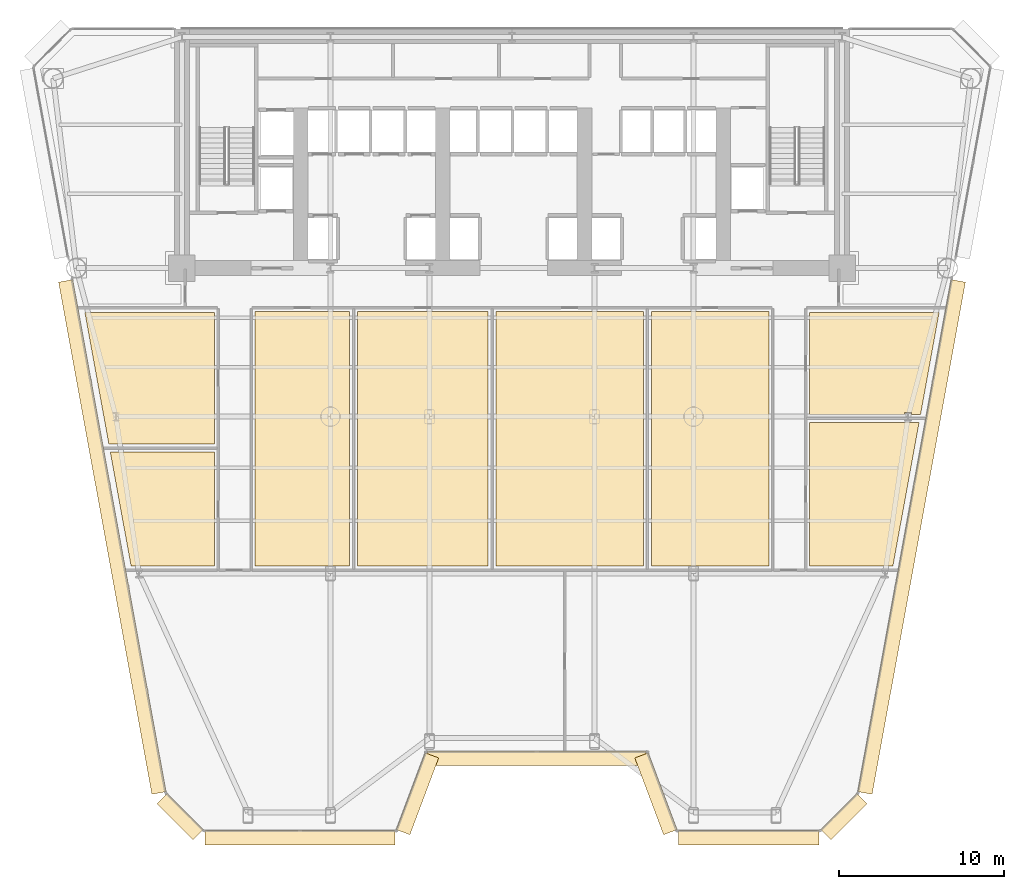
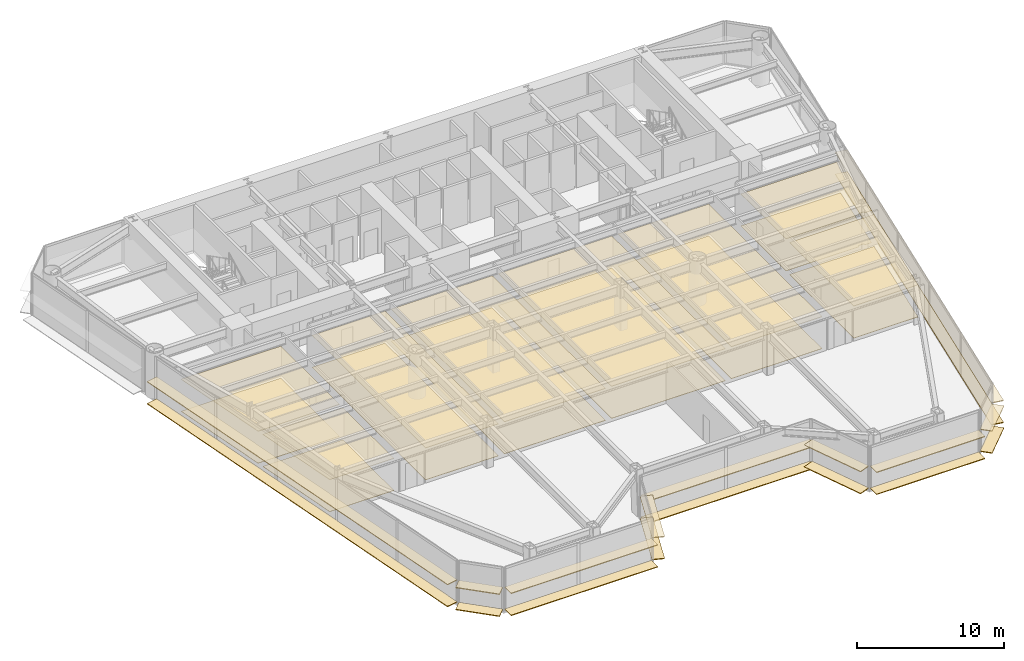
# One storey, part 11 of 14: 34 coverings.
"""IFC4 building model written with IfcOpenShell, lengths in metres."""

from ifc_helpers import new_model, si_unit, direction, frame, origin, origin_2d, place, context, subcontext, project, spatial, polyline, rectangle, outline, extrude, source, transform, mapped, material, layer, layer_set, type_object, element, save


model = new_model("IFC4")

# Units and contexts
model_context = context("Model", 3, precision=1e-05, world=origin(), true_north=direction((0.0, 1.0)))
body_context = subcontext(model_context, "Body", "Model", "MODEL_VIEW")
ifc_project = project(units=[si_unit("LENGTHUNIT", "METRE"), si_unit("AREAUNIT", "SQUARE_METRE"), si_unit("VOLUMEUNIT", "CUBIC_METRE"), si_unit("PLANEANGLEUNIT", "RADIAN"), si_unit("MASSUNIT", "GRAM", prefix="KILO")], contexts=[model_context])

# Site, building, storey
site_placement = place(None, origin())
site = spatial("IfcSite", under=ifc_project, at=site_placement, CompositionType="ELEMENT")
building_placement = place(site_placement, origin())
building = spatial("IfcBuilding", under=site, at=building_placement, Name="Vaeldorn Concourse Tower", CompositionType="ELEMENT")
storey_placement = place(building_placement, frame((0.0, 0.0, 56.800048828125)))
storey = spatial("IfcBuildingStorey", under=building, at=storey_placement, Name="L14", CompositionType="ELEMENT", Elevation=56.800048828125)

# Coverings
ifc_material_1 = material(Name="Acoustic Mineral Fibre Board", Category="gypsum")
ifc_layer_1 = layer(ifc_material_1, 0.0400390625)
ifc_layer_set_1 = layer_set([ifc_layer_1], Name="Acoustic Mineral Fibre Board")
covering_type_1 = type_object("IfcCoveringType", Name="COV-CEIL-ACOUSTIC", PredefinedType="CEILING", material=ifc_layer_set_1)
covering_1_placement = place(storey_placement, frame((0.0, 0.0, 2.64990234375)))
element("IfcCovering", 1, at=covering_1_placement, inside=storey, type_object=covering_type_1, Name="Suspended Acoustic Ceiling L14-5", PredefinedType="CEILING", context=body_context, shape_type="SweptSolid", body=[
    extrude(outline(polyline([(15.9599609375, 25.360107421875), (15.9599609375, 18.43994140625), (10.92138671875, 18.43994140625), (9.66015625, 25.360107421875), (15.9599609375, 25.360107421875)])), origin(), (0.0, 0.0, 1.0), 0.0400390625),
])
covering_2_placement = place(storey_placement, frame((0.0, 0.0, 2.64990234375)))
element("IfcCovering", 2, at=covering_2_placement, inside=storey, type_object=covering_type_1, Name="Suspended Acoustic Ceiling L14-6", PredefinedType="CEILING", context=body_context, shape_type="SweptSolid", body=[
    extrude(outline(polyline([(15.9599609375, 33.800048828125), (15.9599609375, 25.840087890625), (9.57275390625, 25.840087890625), (8.1220703125, 33.800048828125), (15.9599609375, 33.800048828125)])), origin(), (0.0, 0.0, 1.0), 0.0400390625),
])
covering_3_placement = place(storey_placement, frame((0.0, 0.0, 2.64990234375)))
element("IfcCovering", 3, at=covering_3_placement, inside=storey, type_object=covering_type_1, Name="Suspended Acoustic Ceiling L14-7", PredefinedType="CEILING", context=body_context, shape_type="SweptSolid", body=[
    extrude(outline(polyline([(52.0400390625, 27.159912109375), (58.667724609375, 27.159912109375), (57.07861328125, 18.43994140625), (52.0400390625, 18.43994140625), (52.0400390625, 27.159912109375)])), origin(), (0.0, 0.0, 1.0), 0.0400390625),
])
covering_4_placement = place(storey_placement, frame((0.0, 0.0, 2.64990234375)))
element("IfcCovering", 4, at=covering_4_placement, inside=storey, type_object=covering_type_1, Name="Suspended Acoustic Ceiling L14-8", PredefinedType="CEILING", context=body_context, shape_type="SweptSolid", body=[
    extrude(outline(polyline([(52.0400390625, 33.800048828125), (59.8779296875, 33.800048828125), (58.75537109375, 27.639892578125), (58.220947265625, 27.639892578125), (58.220947265625, 27.765380859375), (57.779052734375, 27.765380859375), (57.779052734375, 27.639892578125), (52.0400390625, 27.639892578125), (52.0400390625, 33.800048828125)])), origin(), (0.0, 0.0, 1.0), 0.0400390625),
])
covering_5_placement = place(storey_placement, frame((0.0, 0.0, 2.64990234375)))
element("IfcCovering", 5, at=covering_5_placement, inside=storey, type_object=covering_type_1, Name="Suspended Acoustic Ceiling L14-9", PredefinedType="CEILING", context=body_context, shape_type="SweptSolid", body=[
    extrude(outline(polyline([(18.43994140625, 33.860107421875), (24.159912109375, 33.860107421875), (24.159912109375, 18.43994140625), (23.300048828125, 18.43994140625), (23.300048828125, 18.449951171875), (22.699951171875, 18.449951171875), (22.699951171875, 18.43994140625), (18.43994140625, 18.43994140625), (18.43994140625, 33.860107421875)])), origin(), (0.0, 0.0, 1.0), 0.0400390625),
])
covering_6_placement = place(storey_placement, frame((0.0, 0.0, 2.64990234375)))
element("IfcCovering", 6, at=covering_6_placement, inside=storey, type_object=covering_type_1, Name="Suspended Acoustic Ceiling L14-10", PredefinedType="CEILING", context=body_context, shape_type="SweptSolid", body=[
    extrude(outline(polyline([(24.639892578125, 33.860107421875), (32.56005859375, 33.860107421875), (32.56005859375, 18.43994140625), (24.639892578125, 18.43994140625), (24.639892578125, 33.860107421875)])), origin(), (0.0, 0.0, 1.0), 0.0400390625),
])
covering_7_placement = place(storey_placement, frame((0.0, 0.0, 2.64990234375)))
element("IfcCovering", 7, at=covering_7_placement, inside=storey, type_object=covering_type_1, Name="Suspended Acoustic Ceiling L14-11", PredefinedType="CEILING", context=body_context, shape_type="SweptSolid", body=[
    extrude(outline(polyline([(33.0400390625, 33.860107421875), (41.9599609375, 33.860107421875), (41.9599609375, 18.43994140625), (33.0400390625, 18.43994140625), (33.0400390625, 33.860107421875)])), origin(), (0.0, 0.0, 1.0), 0.0400390625),
])
covering_8_placement = place(storey_placement, frame((0.0, 0.0, 2.64990234375)))
element("IfcCovering", 8, at=covering_8_placement, inside=storey, type_object=covering_type_1, Name="Suspended Acoustic Ceiling L14-12", PredefinedType="CEILING", context=body_context, shape_type="SweptSolid", body=[
    extrude(outline(polyline([(42.43994140625, 33.860107421875), (49.56005859375, 33.860107421875), (49.56005859375, 18.43994140625), (45.300048828125, 18.43994140625), (45.300048828125, 18.449951171875), (44.699951171875, 18.449951171875), (44.699951171875, 18.43994140625), (42.43994140625, 18.43994140625), (42.43994140625, 33.860107421875)])), origin(), (0.0, 0.0, 1.0), 0.0400390625),
])
ifc_material_2 = material(Name="Honed Limestone Terrazzo Flooring", Category="masonry")
ifc_layer_2 = layer(ifc_material_2, 0.0400390625)
ifc_layer_set_2 = layer_set([ifc_layer_2], Name="Honed Limestone Terrazzo Flooring")
covering_type_2 = type_object("IfcCoveringType", Name="COV-FLOOR-STONE", PredefinedType="FLOORING", material=ifc_layer_set_2)
covering_9_placement = place(storey_placement, origin())
element("IfcCovering", 9, at=covering_9_placement, inside=storey, type_object=covering_type_2, Name="Floor Finish Covering L14-5", PredefinedType="FLOORING", context=body_context, shape_type="SweptSolid", body=[
    extrude(outline(polyline([(15.9599609375, 25.360107421875), (15.9599609375, 18.43994140625), (10.92138671875, 18.43994140625), (9.66015625, 25.360107421875), (15.9599609375, 25.360107421875)])), origin(), (0.0, 0.0, 1.0), 0.030029296875),
])
covering_10_placement = place(storey_placement, origin())
element("IfcCovering", 10, at=covering_10_placement, inside=storey, type_object=covering_type_2, Name="Floor Finish Covering L14-6", PredefinedType="FLOORING", context=body_context, shape_type="SweptSolid", body=[
    extrude(outline(polyline([(15.9599609375, 33.800048828125), (15.9599609375, 25.840087890625), (9.57275390625, 25.840087890625), (8.1220703125, 33.800048828125), (15.9599609375, 33.800048828125)])), origin(), (0.0, 0.0, 1.0), 0.030029296875),
])
covering_11_placement = place(storey_placement, origin())
element("IfcCovering", 11, at=covering_11_placement, inside=storey, type_object=covering_type_2, Name="Floor Finish Covering L14-7", PredefinedType="FLOORING", context=body_context, shape_type="SweptSolid", body=[
    extrude(outline(polyline([(52.0400390625, 27.159912109375), (58.667724609375, 27.159912109375), (57.07861328125, 18.43994140625), (52.0400390625, 18.43994140625), (52.0400390625, 27.159912109375)])), origin(), (0.0, 0.0, 1.0), 0.030029296875),
])
covering_12_placement = place(storey_placement, origin())
element("IfcCovering", 12, at=covering_12_placement, inside=storey, type_object=covering_type_2, Name="Floor Finish Covering L14-8", PredefinedType="FLOORING", context=body_context, shape_type="SweptSolid", body=[
    extrude(outline(polyline([(52.0400390625, 33.800048828125), (59.8779296875, 33.800048828125), (58.75537109375, 27.639892578125), (58.220947265625, 27.639892578125), (58.220947265625, 27.765380859375), (57.779052734375, 27.765380859375), (57.779052734375, 27.639892578125), (52.0400390625, 27.639892578125), (52.0400390625, 33.800048828125)])), origin(), (0.0, 0.0, 1.0), 0.030029296875),
])
covering_13_placement = place(storey_placement, origin())
element("IfcCovering", 13, at=covering_13_placement, inside=storey, type_object=covering_type_2, Name="Floor Finish Covering L14-9", PredefinedType="FLOORING", context=body_context, shape_type="SweptSolid", body=[
    extrude(outline(polyline([(18.43994140625, 33.860107421875), (24.159912109375, 33.860107421875), (24.159912109375, 18.43994140625), (23.300048828125, 18.43994140625), (23.300048828125, 18.449951171875), (22.699951171875, 18.449951171875), (22.699951171875, 18.43994140625), (18.43994140625, 18.43994140625), (18.43994140625, 33.860107421875)])), origin(), (0.0, 0.0, 1.0), 0.030029296875),
])
covering_14_placement = place(storey_placement, origin())
element("IfcCovering", 14, at=covering_14_placement, inside=storey, type_object=covering_type_2, Name="Floor Finish Covering L14-10", PredefinedType="FLOORING", context=body_context, shape_type="SweptSolid", body=[
    extrude(outline(polyline([(24.639892578125, 33.860107421875), (32.56005859375, 33.860107421875), (32.56005859375, 18.43994140625), (24.639892578125, 18.43994140625), (24.639892578125, 33.860107421875)])), origin(), (0.0, 0.0, 1.0), 0.030029296875),
])
covering_15_placement = place(storey_placement, origin())
element("IfcCovering", 15, at=covering_15_placement, inside=storey, type_object=covering_type_2, Name="Floor Finish Covering L14-11", PredefinedType="FLOORING", context=body_context, shape_type="SweptSolid", body=[
    extrude(outline(polyline([(33.0400390625, 33.860107421875), (41.9599609375, 33.860107421875), (41.9599609375, 18.43994140625), (33.0400390625, 18.43994140625), (33.0400390625, 33.860107421875)])), origin(), (0.0, 0.0, 1.0), 0.030029296875),
])
covering_16_placement = place(storey_placement, origin())
element("IfcCovering", 16, at=covering_16_placement, inside=storey, type_object=covering_type_2, Name="Floor Finish Covering L14-12", PredefinedType="FLOORING", context=body_context, shape_type="SweptSolid", body=[
    extrude(outline(polyline([(42.43994140625, 33.860107421875), (49.56005859375, 33.860107421875), (49.56005859375, 18.43994140625), (45.300048828125, 18.43994140625), (45.300048828125, 18.449951171875), (44.699951171875, 18.449951171875), (44.699951171875, 18.43994140625), (42.43994140625, 18.43994140625), (42.43994140625, 33.860107421875)])), origin(), (0.0, 0.0, 1.0), 0.030029296875),
])
ifc_material_3 = material(Name="Anodised Bronze Aluminium", Category="aluminium")
ifc_layer_3 = layer(ifc_material_3, 0.06494140625)
ifc_layer_set_3 = layer_set([ifc_layer_3], Name="Anodised Bronze Aluminium")
covering_type_3 = type_object("IfcCoveringType", Name="SD-BRONZE-SUNSHADE", PredefinedType="USERDEFINED", material=ifc_layer_set_3)
shared_shape_1 = source(origin(), body_context, "Body", "SweptSolid", [
    extrude(rectangle(XDim=4.96630859375, YDim=0.8798828125, at=origin_2d()), origin(), (0.0, 0.0, 1.0), 0.06494140625),
])
for number, where, z_axis, x_axis, name in (
    (17, (28.2744140625, 4.650390625, 0.04736328125), (0.0, 0.0, 1.0), (0.351122702609, 0.936329454686, 0.0), "Horizontal Bronze Sunshade L14-E02.1.1"),
    (18, (28.2744140625, 4.650390625, 1.867431640625), (0.0, 0.0, 1.0), (0.351122702609, 0.936329454686, 0.0), "Horizontal Bronze Sunshade L14-E02.1.2"),
    (19, (42.7255859375, 4.650390625, 0.04736328125), (0.0, 0.0, 1.0), (0.351122702609, -0.936329454686, 0.0), "Horizontal Bronze Sunshade L14-E04.1.1"),
    (20, (42.7255859375, 4.650390625, 1.867431640625), (0.0, 0.0, 1.0), (0.351122702609, -0.936329454686, 0.0), "Horizontal Bronze Sunshade L14-E04.1.2"),
):
    element("IfcCovering", number, at=place(storey_placement, frame(where, z_axis=z_axis, x_axis=x_axis)), inside=storey, type_object=covering_type_3, Name=name, ObjectType="SUNSHADE", PredefinedType="USERDEFINED", context=body_context, shape_type="MappedRepresentation", body=[
        mapped(shared_shape_1, transform((0.0, 0.0, 0.0), scale=1.0)),
    ])
shared_shape_2 = source(origin(), body_context, "Body", "SweptSolid", [
    extrude(rectangle(XDim=13.239990234375, YDim=0.8798828125, at=origin_2d()), origin(), (0.0, 0.0, 1.0), 0.06494140625),
])
for number, where, z_axis, x_axis, name in (
    (21, (35.5, 6.790771484375, 0.04736328125), (0.0, 0.0, 1.0), (1.0, 0.0, 0.0), "Horizontal Bronze Sunshade L14-E03.1.1"),
    (22, (35.5, 6.790771484375, 1.867431640625), (0.0, 0.0, 1.0), (1.0, 0.0, 0.0), "Horizontal Bronze Sunshade L14-E03.1.2"),
):
    element("IfcCovering", number, at=place(storey_placement, frame(where, z_axis=z_axis, x_axis=x_axis)), inside=storey, type_object=covering_type_3, Name=name, ObjectType="SUNSHADE", PredefinedType="USERDEFINED", context=body_context, shape_type="MappedRepresentation", body=[
        mapped(shared_shape_2, transform((0.0, 0.0, 0.0), scale=1.0)),
    ])
shared_shape_3 = source(origin(), body_context, "Body", "SweptSolid", [
    extrude(rectangle(XDim=3.0927734375, YDim=0.8798828125, at=origin_2d()), origin(), (0.0, 0.0, 1.0), 0.06494140625),
])
for number, where, z_axis, x_axis, name in (
    (23, (54.1123046875, 3.258056640625, 0.04736328125), (0.0, 0.0, 1.0), (0.707106781187, 0.707106781187, 0.0), "Horizontal Bronze Sunshade L14-E06.1.1"),
    (24, (54.1123046875, 3.258056640625, 1.867431640625), (0.0, 0.0, 1.0), (0.707106781187, 0.707106781187, 0.0), "Horizontal Bronze Sunshade L14-E06.1.2"),
    (25, (13.8876953125, 3.258056640625, 0.04736328125), (0.0, 0.0, 1.0), (0.707106781187, -0.707106781187, 0.0), "Horizontal Bronze Sunshade L14-E12.1.1"),
    (26, (13.8876953125, 3.258056640625, 1.867431640625), (0.0, 0.0, 1.0), (0.707106781187, -0.707106781187, 0.0), "Horizontal Bronze Sunshade L14-E12.1.2"),
):
    element("IfcCovering", number, at=place(storey_placement, frame(where, z_axis=z_axis, x_axis=x_axis)), inside=storey, type_object=covering_type_3, Name=name, ObjectType="SUNSHADE", PredefinedType="USERDEFINED", context=body_context, shape_type="MappedRepresentation", body=[
        mapped(shared_shape_3, transform((0.0, 0.0, 0.0), scale=1.0)),
    ])
shared_shape_4 = source(origin(), body_context, "Body", "SweptSolid", [
    extrude(rectangle(XDim=11.51953125, YDim=0.8798828125, at=origin_2d()), origin(), (0.0, 0.0, 1.0), 0.06494140625),
])
for number, where, z_axis, x_axis, name in (
    (27, (21.16015625, 1.99072265625, 0.04736328125), (0.0, 0.0, 1.0), (1.0, 0.0, 0.0), "Horizontal Bronze Sunshade L14-E01.1.1"),
    (28, (21.16015625, 1.99072265625, 1.867431640625), (0.0, 0.0, 1.0), (1.0, 0.0, 0.0), "Horizontal Bronze Sunshade L14-E01.1.2"),
):
    element("IfcCovering", number, at=place(storey_placement, frame(where, z_axis=z_axis, x_axis=x_axis)), inside=storey, type_object=covering_type_3, Name=name, ObjectType="SUNSHADE", PredefinedType="USERDEFINED", context=body_context, shape_type="MappedRepresentation", body=[
        mapped(shared_shape_4, transform((0.0, 0.0, 0.0), scale=1.0)),
    ])
shared_shape_5 = source(origin(), body_context, "Body", "SweptSolid", [
    extrude(rectangle(XDim=8.51953125, YDim=0.8798828125, at=origin_2d()), origin(), (0.0, 0.0, 1.0), 0.06494140625),
])
for number, where, z_axis, x_axis, name in (
    (29, (48.339599609375, 1.99072265625, 0.04736328125), (0.0, 0.0, 1.0), (1.0, 0.0, 0.0), "Horizontal Bronze Sunshade L14-E05.1.1"),
    (30, (48.339599609375, 1.99072265625, 1.867431640625), (0.0, 0.0, 1.0), (1.0, 0.0, 0.0), "Horizontal Bronze Sunshade L14-E05.1.2"),
):
    element("IfcCovering", number, at=place(storey_placement, frame(where, z_axis=z_axis, x_axis=x_axis)), inside=storey, type_object=covering_type_3, Name=name, ObjectType="SUNSHADE", PredefinedType="USERDEFINED", context=body_context, shape_type="MappedRepresentation", body=[
        mapped(shared_shape_5, transform((0.0, 0.0, 0.0), scale=1.0)),
    ])
shared_shape_6 = source(origin(), body_context, "Body", "SweptSolid", [
    extrude(rectangle(XDim=31.54345703125, YDim=0.8798828125, at=origin_2d()), origin(), (0.0, 0.0, 1.0), 0.06494140625),
])
for number, where, z_axis, x_axis, name in (
    (31, (58.215087890625, 20.2138671875, 0.04736328125), (0.0, 0.0, 1.0), (0.17930018116, 0.983794411976, 0.0), "Horizontal Bronze Sunshade L14-E07.1.1"),
    (32, (58.215087890625, 20.2138671875, 1.867431640625), (0.0, 0.0, 1.0), (0.17930018116, 0.983794411976, 0.0), "Horizontal Bronze Sunshade L14-E07.1.2"),
    (33, (9.784912109375, 20.2138671875, 0.04736328125), (0.0, 0.0, 1.0), (0.17930018116, -0.983794411976, 0.0), "Horizontal Bronze Sunshade L14-E11.2.1"),
    (34, (9.784912109375, 20.2138671875, 1.867431640625), (0.0, 0.0, 1.0), (0.17930018116, -0.983794411976, 0.0), "Horizontal Bronze Sunshade L14-E11.2.2"),
):
    element("IfcCovering", number, at=place(storey_placement, frame(where, z_axis=z_axis, x_axis=x_axis)), inside=storey, type_object=covering_type_3, Name=name, ObjectType="SUNSHADE", PredefinedType="USERDEFINED", context=body_context, shape_type="MappedRepresentation", body=[
        mapped(shared_shape_6, transform((0.0, 0.0, 0.0), scale=1.0)),
    ])

save(model, "model.ifc")
